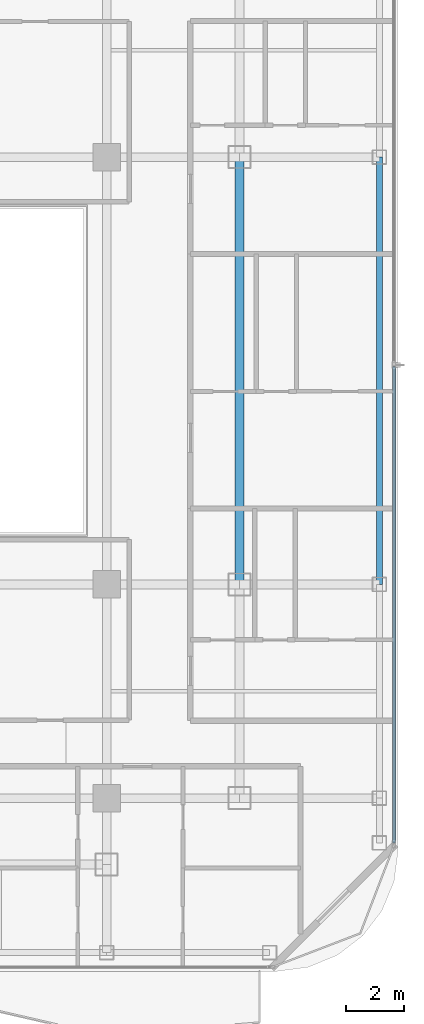
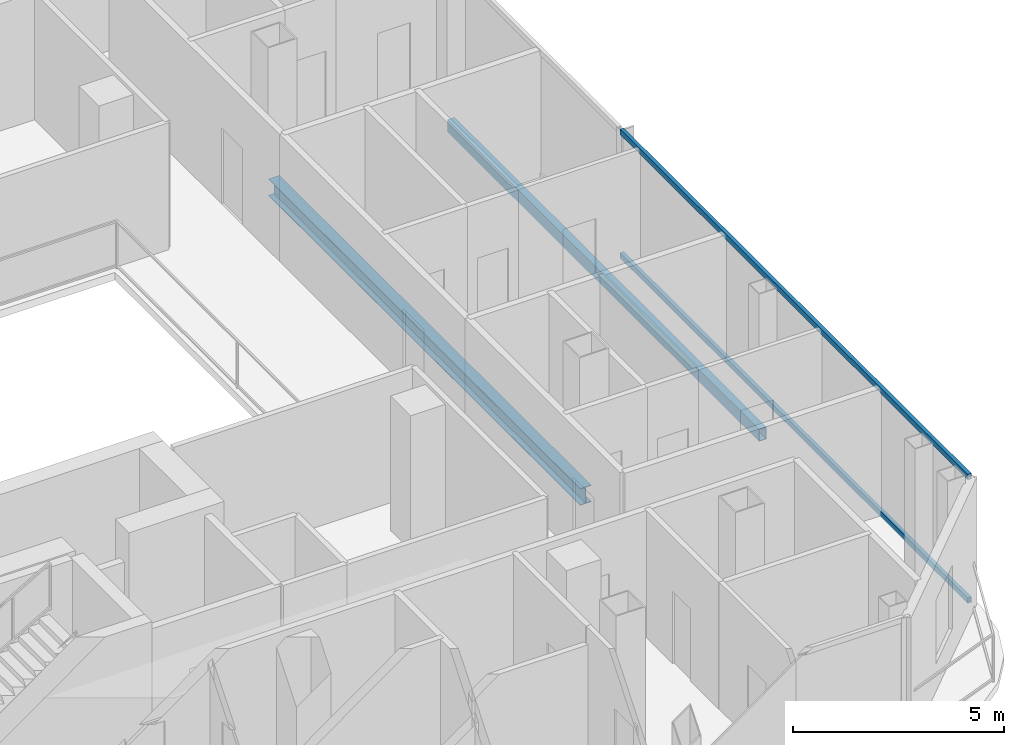
# One storey, part 9 of 26: 2 beams, 2 members, 1 element without a shape of its own.
"""IFC4 building model written with IfcOpenShell, lengths in metres."""

from ifc_helpers import new_model, si_unit, direction, frame, origin, origin_2d, place, context, subcontext, project, spatial, hollow_rectangle, i_section, extrude, material, layer, layer_set, material_profile, profile_set, type_object, element, aggregate, save


model = new_model("IFC4")

# Units and contexts
model_context = context("Model", 3, precision=1e-05, world=origin(), true_north=direction((0.0, 1.0)))
body_context = subcontext(model_context, "Body", "Model", "MODEL_VIEW")
ifc_project = project(units=[si_unit("LENGTHUNIT", "METRE"), si_unit("AREAUNIT", "SQUARE_METRE"), si_unit("VOLUMEUNIT", "CUBIC_METRE"), si_unit("PLANEANGLEUNIT", "RADIAN"), si_unit("MASSUNIT", "GRAM", prefix="KILO")], contexts=[model_context])

# Site, building, storey
site_placement = place(None, origin())
site = spatial("IfcSite", under=ifc_project, at=site_placement, CompositionType="ELEMENT")
building_placement = place(site_placement, origin())
building = spatial("IfcBuilding", under=site, at=building_placement, Name="Khorvyn Point Tower", CompositionType="ELEMENT")
storey_placement = place(building_placement, frame((0.0, 0.0, 262.5)))
storey = spatial("IfcBuildingStorey", under=building, at=storey_placement, Name="L64", CompositionType="ELEMENT", Elevation=262.5)

# Curtain wall, members
ifc_material_1 = material(Name="Anodised aluminium 6063-T6 and laminated Low-E glass", Category="aluminium")
ifc_layer = layer(ifc_material_1, 0.18994140625)
ifc_layer_set = layer_set([ifc_layer], Name="Stick-Built High-Wind Curtain Wall CW-SYS-04")
curtain_wall_type = type_object("IfcCurtainWallType", Name="Stick-Built High-Wind Curtain Wall CW-SYS-04", PredefinedType="NOTDEFINED", material=ifc_layer_set)
curtain_wall_placement = place(storey_placement, origin())
curtain_wall = element("IfcCurtainWall", 1, at=curtain_wall_placement, inside=storey, type_object=curtain_wall_type, Name="Curtain Wall", PredefinedType="NOTDEFINED")
ifc_material_2 = material(Name="Anodised aluminium 6063-T6", Category="aluminium")
ifc_material_profile_1 = material_profile(ifc_material_2, hollow_rectangle(XDim=0.10009765625, YDim=0.159912109375, WallThickness=0.00439453125, at=origin_2d()))
ifc_profile_set_1 = profile_set([ifc_material_profile_1], Name="Anodised aluminium 6063-T6 ALU-TRN-100x160")
member_type = type_object("IfcMemberType", Name="Anodised Aluminium 6063-T6 Transom ALU-TRN-100x160", PredefinedType="USERDEFINED", material=ifc_profile_set_1)
member_1_placement = place(storey_placement, frame((24.75, 0.14990234375, 0.050048828125), z_axis=(0.0, -1.0, 0.0), x_axis=(1.0, 0.0, 0.0)))
member_1 = element("IfcMember", 2, at=member_1_placement, type_object=member_type, Name="Transom", ObjectType="TRANSOM", PredefinedType="USERDEFINED", context=body_context, shape_type="SweptSolid", body=[
    extrude(hollow_rectangle(XDim=0.10009765625, YDim=0.159912109375, WallThickness=0.00439453125, at=origin_2d()), origin(), (0.0, 0.0, 1.0), 16.5),
])
member_2_placement = place(storey_placement, frame((24.75, 0.14990234375, 3.6298828125), z_axis=(0.0, -1.0, 0.0), x_axis=(1.0, 0.0, 0.0)))
member_2 = element("IfcMember", 3, at=member_2_placement, type_object=member_type, Name="Transom", ObjectType="TRANSOM", PredefinedType="USERDEFINED", context=body_context, shape_type="SweptSolid", body=[
    extrude(hollow_rectangle(XDim=0.10009765625, YDim=0.159912109375, WallThickness=0.00439453125, at=origin_2d()), origin(), (0.0, 0.0, 1.0), 16.5),
])
aggregate(curtain_wall, [member_1, member_2])

# Beams
ifc_material_3 = material(Name="Steel S355", Category="steel")
ifc_material_profile_2 = material_profile(ifc_material_3, i_section(OverallWidth=0.300048828125, OverallDepth=0.488037109375, WebThickness=0.010986328125, FlangeThickness=0.01806640625, at=origin_2d()))
ifc_profile_set_2 = profile_set([ifc_material_profile_2], Name="Steel S355 H488x300x11x18")
beam_type_1 = type_object("IfcBeamType", Name="Steel S355 Spandrel H488x300x11x18", PredefinedType="SPANDREL", material=ifc_profile_set_2)
beam_1_placement = place(storey_placement, frame((19.39990234375, -7.39990234375, -0.464111328125), z_axis=(0.0, 1.0, 0.0), x_axis=(-1.0, 0.0, 0.0)))
element("IfcBeam", 4, at=beam_1_placement, inside=storey, type_object=beam_type_1, Name="Beam", PredefinedType="SPANDREL", context=body_context, shape_type="SweptSolid", body=[
    extrude(i_section(OverallWidth=0.300048828125, OverallDepth=0.488037109375, WebThickness=0.010986328125, FlangeThickness=0.01806640625, at=origin_2d()), origin(), (0.0, 0.0, 1.0), 14.7998046875),
])
ifc_material_profile_3 = material_profile(ifc_material_3, hollow_rectangle(XDim=0.199951171875, YDim=0.35009765625, WallThickness=0.013916015625, at=origin_2d()))
ifc_profile_set_3 = profile_set([ifc_material_profile_3], Name="Steel S355 RHS350x200x14")
beam_type_2 = type_object("IfcBeamType", Name="Steel S355 Spandrel RHS350x200x14", PredefinedType="SPANDREL", material=ifc_profile_set_3)
beam_2_placement = place(storey_placement, frame((24.25, -7.39990234375, -0.39501953125), z_axis=(0.0, 1.0, 0.0), x_axis=(-1.0, 0.0, 0.0)))
element("IfcBeam", 5, at=beam_2_placement, inside=storey, type_object=beam_type_2, Name="Beam", PredefinedType="SPANDREL", context=body_context, shape_type="SweptSolid", body=[
    extrude(hollow_rectangle(XDim=0.199951171875, YDim=0.35009765625, WallThickness=0.013916015625, at=origin_2d()), origin(), (0.0, 0.0, 1.0), 14.7998046875),
])

save(model, "model.ifc")
